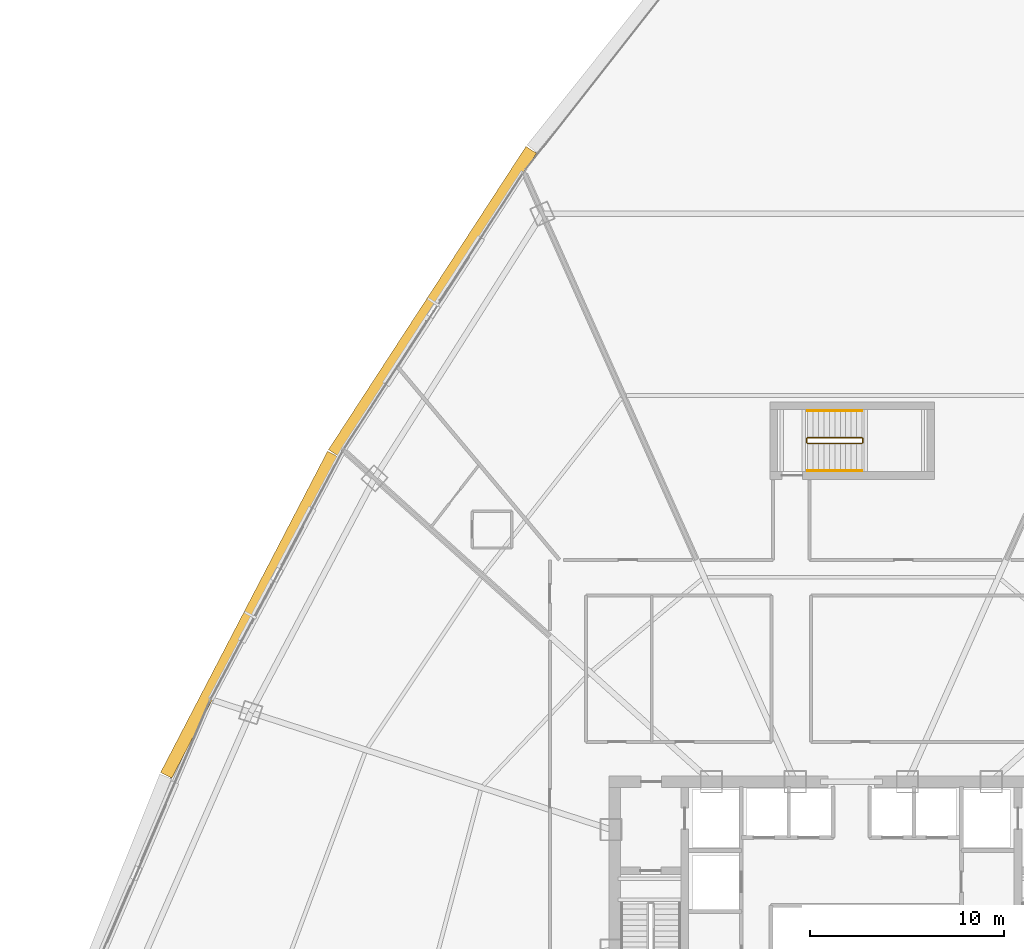
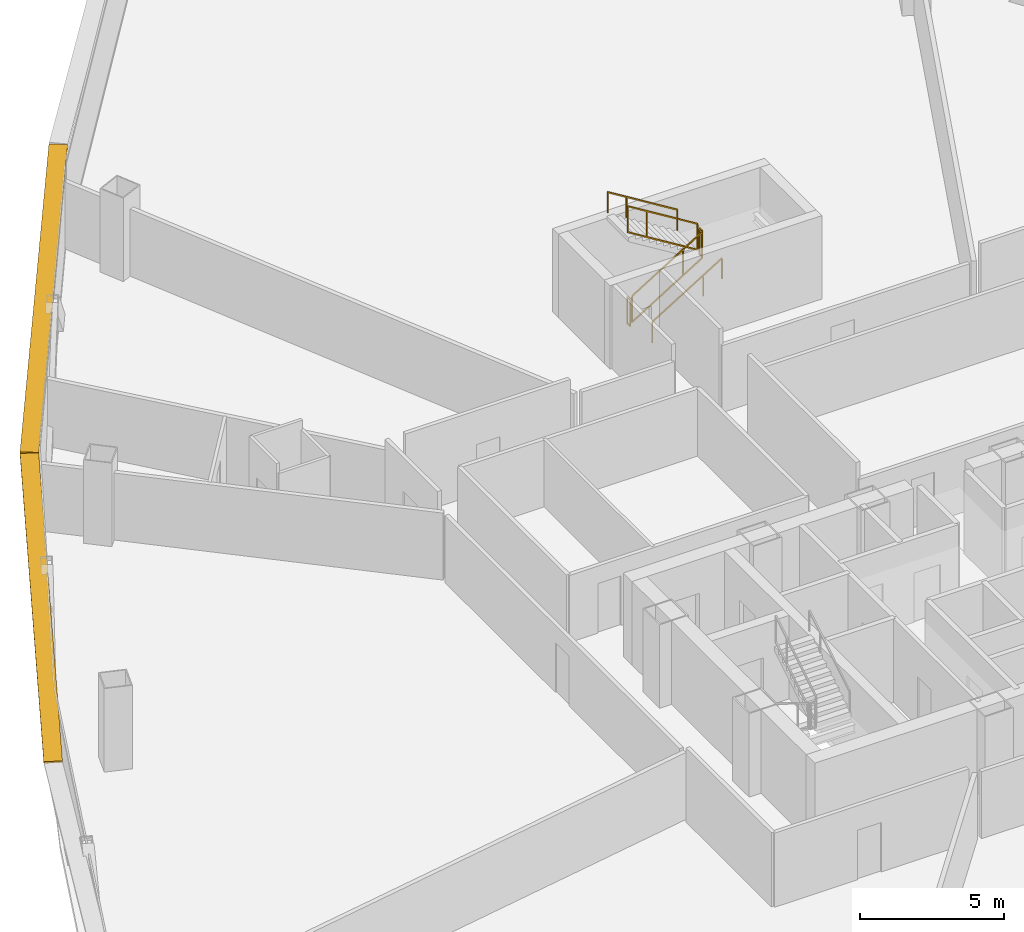
# One storey, part 36 of 37: 6 railings, 2 shading devices.
"""IFC4 building model written with IfcOpenShell, lengths in metres."""

import ifcopenshell
import ifcopenshell.guid

model = None  # the IFC model being written
_history = None  # IfcOwnerHistory: only IFC2X3 demands one
_inside = {}  # id of a spatial element -> (the spatial element, [elements in it])
_under = {}  # id of a project, library or spatial element -> (it, [spatial elements below it])
_declared = {}  # id of a project -> (the project, [libraries it declares])
_typed = {}  # id of a type object -> (the type object, [elements of that type])
_made_of = {}  # id of a material, layer set ... -> (it, [elements and type objects made of it])


def new_model(schema):
    """Start an empty IFC model of exactly this schema.

    Asked for "IFC4X3", IfcOpenShell would pick the latest addendum, in which some entities
    have other attributes; the version numbers below select the first issue.
    IFC2X3 requires an IfcOwnerHistory on every rooted entity: one is made here for all.
    """
    global model, _history
    if schema == "IFC4X3":
        model = ifcopenshell.file(schema_version=(4, 3, 0, 0))
    else:
        model = ifcopenshell.file(schema=schema)
    _inside.clear()
    _under.clear()
    _declared.clear()
    _typed.clear()
    _made_of.clear()
    _history = None
    if model.schema == "IFC2X3":
        org = make("IfcOrganization", Name="unknown")
        user = make(
            "IfcPersonAndOrganization",
            ThePerson=make("IfcPerson", FamilyName="unknown"),
            TheOrganization=org,
        )
        app = make(
            "IfcApplication",
            ApplicationDeveloper=org,
            Version="unknown",
            ApplicationFullName="unknown",
            ApplicationIdentifier="unknown",
        )
        _history = make(
            "IfcOwnerHistory",
            OwningUser=user,
            OwningApplication=app,
            ChangeAction="ADDED",
            CreationDate=0,
        )
    return model


def make(cls, **values):
    """One entity of the class cls with the attributes given. An attribute that is None is left unset."""
    return model.create_entity(
        cls, **{name: value for name, value in values.items() if value is not None}
    )


def rooted(cls, **values):
    """An entity with a GlobalId (a new one), such as an element, a storey or a relation."""
    return make(cls, GlobalId=ifcopenshell.guid.new(), OwnerHistory=_history, **values)


def si_unit(unit_type, name, prefix=None):
    """IfcSIUnit, for example si_unit("LENGTHUNIT", "METRE", prefix="MILLI")."""
    return make("IfcSIUnit", UnitType=unit_type, Prefix=prefix, Name=name)


def assignment(units):
    """IfcUnitAssignment: the units of a project."""
    return None if units is None else make("IfcUnitAssignment", Units=units)


def point(xyz):
    """IfcCartesianPoint."""
    return None if xyz is None else make("IfcCartesianPoint", Coordinates=xyz)


def direction(xyz):
    """IfcDirection."""
    return None if xyz is None else make("IfcDirection", DirectionRatios=xyz)


def frame(location, z_axis=None, x_axis=None):
    """IfcAxis2Placement3D, a coordinate frame: its origin and axes. An axis left out is left unset."""
    return make(
        "IfcAxis2Placement3D",
        Location=point(location),
        Axis=direction(z_axis),
        RefDirection=direction(x_axis),
    )


def frame_2d(location, x_axis=None):
    """IfcAxis2Placement2D, a coordinate frame in the plane: its origin and x axis."""
    return make(
        "IfcAxis2Placement2D", Location=point(location), RefDirection=direction(x_axis)
    )


def origin():
    """The frame at (0, 0, 0) with its axes left unset."""
    return frame((0.0, 0.0, 0.0))


def origin_2d():
    """The frame at (0, 0) in the plane with its x axis left unset."""
    return frame_2d((0.0, 0.0))


def place(relative_to, where):
    """IfcLocalPlacement: puts the frame where relative to a parent placement (None: the world)."""
    return make(
        "IfcLocalPlacement", PlacementRelTo=relative_to, RelativePlacement=where
    )


def context(
    kind, dimensions, precision=None, world=None, true_north=None, identifier=None
):
    """IfcGeometricRepresentationContext, for example the 3D "Model" context."""
    return make(
        "IfcGeometricRepresentationContext",
        ContextIdentifier=identifier,
        ContextType=kind,
        CoordinateSpaceDimension=dimensions,
        Precision=precision,
        WorldCoordinateSystem=world,
        TrueNorth=true_north,
    )


def subcontext(parent, identifier, kind, view, scale=None):
    """IfcGeometricRepresentationSubContext, for example "Body" below "Model"."""
    return make(
        "IfcGeometricRepresentationSubContext",
        ContextIdentifier=identifier,
        ContextType=kind,
        ParentContext=parent,
        TargetScale=scale,
        TargetView=view,
    )


def project(units=None, contexts=None):
    """IfcProject with its units and contexts."""
    return rooted(
        "IfcProject",
        Name="project",
        RepresentationContexts=contexts,
        UnitsInContext=assignment(units),
    )


def spatial(cls, under=None, at=None, **own):
    """A site, building, storey or space (cls), placed at a placement, below another one or the project."""
    s = rooted(cls, ObjectPlacement=at, **own)
    if under is not None:
        _under.setdefault(under.id(), (under, []))[1].append(s)
    return s


def profile(cls, at=None, kind="AREA", **sizes):
    """A parametric profile (cls). Its sizes go by their IFC names, for example OverallWidth=200.0."""
    return make(cls, ProfileType=kind, Position=at, **sizes)


def rectangle(**sizes):
    """IfcRectangleProfileDef."""
    return profile("IfcRectangleProfileDef", **sizes)


def extrude(swept, where, along, depth):
    """IfcExtrudedAreaSolid: the profile swept, set in the frame where, extruded along a direction by depth."""
    return make(
        "IfcExtrudedAreaSolid",
        SweptArea=swept,
        Position=where,
        ExtrudedDirection=direction(along),
        Depth=depth,
    )


def shape(context_of_items, identifier, shape_type, items):
    """IfcShapeRepresentation: the items that make up one representation, for example the "Body"."""
    return make(
        "IfcShapeRepresentation",
        ContextOfItems=context_of_items,
        RepresentationIdentifier=identifier,
        RepresentationType=shape_type,
        Items=items,
    )


def source(mapping_origin, context_of_items, identifier, shape_type, items):
    """IfcRepresentationMap: a shape defined once, which mapped items show again and again."""
    return make(
        "IfcRepresentationMap",
        MappingOrigin=mapping_origin,
        MappedRepresentation=shape(context_of_items, identifier, shape_type, items),
    )


def transform(
    local_origin,
    x_axis=None,
    y_axis=None,
    z_axis=None,
    scale=None,
    scale2=None,
    scale3=None,
    uniform=True,
):
    """IfcCartesianTransformationOperator3D, or its non-uniform kind. x_axis, y_axis, z_axis: its Axis1, 2, 3."""
    if uniform:
        return make(
            "IfcCartesianTransformationOperator3D",
            Axis1=direction(x_axis),
            Axis2=direction(y_axis),
            LocalOrigin=point(local_origin),
            Scale=scale,
            Axis3=direction(z_axis),
        )
    return make(
        "IfcCartesianTransformationOperator3DnonUniform",
        Axis1=direction(x_axis),
        Axis2=direction(y_axis),
        LocalOrigin=point(local_origin),
        Scale=scale,
        Axis3=direction(z_axis),
        Scale2=scale2,
        Scale3=scale3,
    )


def mapped(mapping_source, mapping_target):
    """IfcMappedItem: shows the shape of a source again, moved by a transform."""
    return make(
        "IfcMappedItem", MappingSource=mapping_source, MappingTarget=mapping_target
    )


def material(Name=None, Category=None):
    """IfcMaterial."""
    return make("IfcMaterial", Name=Name, Category=Category)


def layer(
    of_material, thickness, ventilated=None, Name=None, Category=None, Priority=None
):
    """IfcMaterialLayer: one layer of a wall or slab, of a material (None: an air gap)."""
    return make(
        "IfcMaterialLayer",
        Material=of_material,
        LayerThickness=thickness,
        IsVentilated=ventilated,
        Name=Name,
        Category=Category,
        Priority=Priority,
    )


def layer_set(layers, Name=None):
    """IfcMaterialLayerSet."""
    return make("IfcMaterialLayerSet", MaterialLayers=layers, LayerSetName=Name)


def made_of(thing, what):
    """Note that an element or type object is made of a material, layer set ...; save() writes the relation."""
    if what is not None:
        _made_of.setdefault(what.id(), (what, []))[1].append(thing)
    return thing


def type_object(cls, material=None, **own):
    """A type object (cls), such as IfcWallType, which elements share."""
    return made_of(rooted(cls, **own), material)


def element(
    cls,
    number,
    at=None,
    inside=None,
    cuts=None,
    type_object=None,
    material=None,
    context=None,
    identifier="Body",
    shape_type=None,
    held_by="IfcProductDefinitionShape",
    body=None,
    shapes=None,
    **own,
):
    """One element of the class cls, such as IfcWall. Its Tag is "e" and its number.

    at: its placement. inside: the storey or other place that contains it. cuts: it is an
    opening in that element (IfcRelVoidsElement). A single representation is given by context,
    identifier, shape_type and body (its items); several are given by shapes. held_by: the class
    of the entity that holds the representations. save() writes the other relations.
    """
    e = rooted(cls, Tag="e%d" % number, ObjectPlacement=at, **own)
    if body is not None:
        shapes = [shape(context, identifier, shape_type, body)]
    if shapes is not None:
        e.Representation = make(held_by, Representations=shapes)
    if inside is not None:
        _inside.setdefault(inside.id(), (inside, []))[1].append(e)
    if cuts is not None:
        rooted(
            "IfcRelVoidsElement", RelatingBuildingElement=cuts, RelatedOpeningElement=e
        )
    if type_object is not None:
        _typed.setdefault(type_object.id(), (type_object, []))[1].append(e)
    return made_of(e, material)


def aggregate(whole, parts):
    """IfcRelAggregates: a whole, such as a stair, and the parts it consists of."""
    return rooted("IfcRelAggregates", RelatingObject=whole, RelatedObjects=parts)


def save(model, path):
    """Write the relations noted so far, then the file.

    IfcRelAggregates (storeys below a building ...), IfcRelContainedInSpatialStructure (elements
    in a storey), IfcRelDefinesByType, IfcRelAssociatesMaterial and IfcRelDeclares: one each for
    every whole, place, type object, material and project.
    """
    for whole, parts in _under.values():
        aggregate(whole, parts)
    for where, things in _inside.values():
        rooted(
            "IfcRelContainedInSpatialStructure",
            RelatedElements=things,
            RelatingStructure=where,
        )
    for kind, things in _typed.values():
        rooted("IfcRelDefinesByType", RelatedObjects=things, RelatingType=kind)
    for what, things in _made_of.values():
        rooted("IfcRelAssociatesMaterial", RelatedObjects=things, RelatingMaterial=what)
    for by, libraries in _declared.values():
        rooted("IfcRelDeclares", RelatingContext=by, RelatedDefinitions=libraries)
    model.write(path)


model = new_model("IFC4")

# Units and contexts
model_context = context("Model", 3, precision=1e-05, world=origin(), true_north=direction((0.0, 1.0)))
body_context = subcontext(model_context, "Body", "Model", "MODEL_VIEW")
ifc_project = project(units=[si_unit("LENGTHUNIT", "METRE"), si_unit("AREAUNIT", "SQUARE_METRE"), si_unit("VOLUMEUNIT", "CUBIC_METRE"), si_unit("PLANEANGLEUNIT", "RADIAN"), si_unit("MASSUNIT", "GRAM", prefix="KILO"), si_unit("THERMODYNAMICTEMPERATUREUNIT", "KELVIN"), si_unit("POWERUNIT", "WATT")], contexts=[model_context])

# Site, building, storey
site_placement = place(None, origin())
site = spatial("IfcSite", under=ifc_project, at=site_placement, CompositionType="ELEMENT")
building_placement = place(site_placement, origin())
building = spatial("IfcBuilding", under=site, at=building_placement, Name="Yunzhuo Pagoda Commons", CompositionType="ELEMENT")
storey_placement = place(building_placement, frame((0.0, 0.0, 84.97998046875)))
storey = spatial("IfcBuildingStorey", under=building, at=storey_placement, Name="L21", CompositionType="ELEMENT", Elevation=84.97998046875)

# Railings
ifc_material = material(Name="Anodized aluminium 6063-T6", Category="aluminium")
railing_type_1 = type_object("IfcRailingType", Name="GR-ST3 North Well Guardrail 1155", PredefinedType="GUARDRAIL", material=ifc_material)
railing_1_placement = place(storey_placement, frame((45.75, 57.64990234375, 0.1728515625)))
element("IfcRailing", 1, at=railing_1_placement, inside=storey, type_object=railing_type_1, Name="L21 ST3 stair guard 1", PredefinedType="GUARDRAIL", context=body_context, shape_type="SweptSolid", body=[
    extrude(rectangle(XDim=0.048095703125, YDim=0.048095703125, at=origin_2d()), frame((0.0, 0.0, 1.1259765625), z_axis=(0.851122791225, 0.0, 0.524966660138), x_axis=(0.0, 1.0, 0.0)), (0.0, 0.0, 1.0), 3.289794921875),
    extrude(rectangle(XDim=0.048095703125, YDim=0.048095703125, at=origin_2d()), frame((0.0, 0.0, 0.02392578125), z_axis=(0.851122791225, 0.0, 0.524966660138), x_axis=(0.0, 1.0, 0.0)), (0.0, 0.0, 1.0), 3.289794921875),
    extrude(rectangle(XDim=0.0419921875, YDim=0.0419921875, at=origin_2d()), origin(), (0.0, 0.0, 1.0), 1.101806640625),
    extrude(rectangle(XDim=0.0419921875, YDim=0.0419921875, at=origin_2d()), frame((2.042724609375, 0.0, 1.260009765625)), (0.0, 0.0, 1.0), 1.101806640625),
    extrude(rectangle(XDim=0.0419921875, YDim=0.0419921875, at=origin_2d()), frame((2.800048828125, 0.0, 1.72705078125)), (0.0, 0.0, 1.0), 1.101806640625),
])
railing_2_placement = place(storey_placement, frame((48.60009765625, 57.699951171875, 1.89990234375)))
element("IfcRailing", 2, at=railing_2_placement, inside=storey, type_object=railing_type_1, Name="L21 ST3 stair guard 2", PredefinedType="GUARDRAIL", context=body_context, shape_type="SweptSolid", body=[
    extrude(rectangle(XDim=0.048095703125, YDim=0.048095703125, at=origin_2d()), frame((0.0, 0.0, 1.1259765625), z_axis=(0.0, 1.0, 0.0), x_axis=(-1.0, 0.0, 0.0)), (0.0, 0.0, 1.0), 0.199951171875),
    extrude(rectangle(XDim=0.048095703125, YDim=0.048095703125, at=origin_2d()), frame((0.0, 0.0, 0.02392578125), z_axis=(0.0, 1.0, 0.0), x_axis=(-1.0, 0.0, 0.0)), (0.0, 0.0, 1.0), 0.199951171875),
    extrude(rectangle(XDim=0.0419921875, YDim=0.0419921875, at=origin_2d()), origin(), (0.0, 0.0, 1.0), 1.101806640625),
    extrude(rectangle(XDim=0.0419921875, YDim=0.0419921875, at=origin_2d()), frame((0.0, 0.199951171875, 0.0)), (0.0, 0.0, 1.0), 1.101806640625),
])
railing_3_placement = place(storey_placement, frame((48.550048828125, 57.949951171875, 2.07275390625)))
element("IfcRailing", 3, at=railing_3_placement, inside=storey, type_object=railing_type_1, Name="L21 ST3 stair guard 3", PredefinedType="GUARDRAIL", context=body_context, shape_type="SweptSolid", body=[
    extrude(rectangle(XDim=0.048095703125, YDim=0.048095703125, at=origin_2d()), frame((0.0, 0.0, 1.1259765625), z_axis=(-0.851089632645, 0.0, 0.525020415988), x_axis=(0.0, -1.0, 0.0)), (0.0, 0.0, 1.0), 3.2900390625),
    extrude(rectangle(XDim=0.048095703125, YDim=0.048095703125, at=origin_2d()), frame((0.0, 0.0, 0.02392578125), z_axis=(-0.851089632645, 0.0, 0.525020415988), x_axis=(0.0, -1.0, 0.0)), (0.0, 0.0, 1.0), 3.2900390625),
    extrude(rectangle(XDim=0.0419921875, YDim=0.0419921875, at=origin_2d()), origin(), (0.0, 0.0, 1.0), 1.101806640625),
    extrude(rectangle(XDim=0.0419921875, YDim=0.0419921875, at=origin_2d()), frame((-2.042724609375, 0.0, 1.260009765625)), (0.0, 0.0, 1.0), 1.101806640625),
    extrude(rectangle(XDim=0.0419921875, YDim=0.0419921875, at=origin_2d()), frame((-2.800048828125, 0.0, 1.727294921875)), (0.0, 0.0, 1.0), 1.101806640625),
])
railing_4_placement = place(storey_placement, frame((45.699951171875, 57.699951171875, 0.0)))
element("IfcRailing", 4, at=railing_4_placement, inside=storey, type_object=railing_type_1, Name="L21 ST3 stair guard 4", PredefinedType="GUARDRAIL", context=body_context, shape_type="SweptSolid", body=[
    extrude(rectangle(XDim=0.048095703125, YDim=0.048095703125, at=origin_2d()), frame((0.0, 0.0, 1.1259765625), z_axis=(0.0, 1.0, 0.0), x_axis=(-1.0, 0.0, 0.0)), (0.0, 0.0, 1.0), 0.199951171875),
    extrude(rectangle(XDim=0.048095703125, YDim=0.048095703125, at=origin_2d()), frame((0.0, 0.0, 0.02392578125), z_axis=(0.0, 1.0, 0.0), x_axis=(-1.0, 0.0, 0.0)), (0.0, 0.0, 1.0), 0.199951171875),
    extrude(rectangle(XDim=0.0419921875, YDim=0.0419921875, at=origin_2d()), origin(), (0.0, 0.0, 1.0), 1.101806640625),
    extrude(rectangle(XDim=0.0419921875, YDim=0.0419921875, at=origin_2d()), frame((0.0, 0.199951171875, 0.0)), (0.0, 0.0, 1.0), 1.101806640625),
])
railing_type_2 = type_object("IfcRailingType", Name="HR-ST3 North Stair Handrail 900", PredefinedType="HANDRAIL", material=ifc_material)
railing_5_placement = place(storey_placement, frame((45.75, 56.25, 0.1728515625)))
element("IfcRailing", 5, at=railing_5_placement, inside=storey, type_object=railing_type_2, Name="L21 ST3 stair handrail 1", PredefinedType="HANDRAIL", context=body_context, shape_type="SweptSolid", body=[
    extrude(rectangle(XDim=0.048095703125, YDim=0.048095703125, at=origin_2d()), frame((0.0, 0.0, 0.8759765625), z_axis=(0.851122791225, 0.0, 0.524966660138), x_axis=(0.0, 1.0, 0.0)), (0.0, 0.0, 1.0), 3.289794921875),
    extrude(rectangle(XDim=0.0419921875, YDim=0.0419921875, at=origin_2d()), origin(), (0.0, 0.0, 1.0), 0.851806640625),
    extrude(rectangle(XDim=0.0419921875, YDim=0.0419921875, at=origin_2d()), frame((2.042724609375, 0.0, 1.260009765625)), (0.0, 0.0, 1.0), 0.851806640625),
    extrude(rectangle(XDim=0.0419921875, YDim=0.0419921875, at=origin_2d()), frame((2.800048828125, 0.0, 1.72705078125)), (0.0, 0.0, 1.0), 0.851806640625),
])
railing_6_placement = place(storey_placement, frame((48.550048828125, 59.35009765625, 2.07275390625)))
element("IfcRailing", 6, at=railing_6_placement, inside=storey, type_object=railing_type_2, Name="L21 ST3 stair handrail 2", PredefinedType="HANDRAIL", context=body_context, shape_type="SweptSolid", body=[
    extrude(rectangle(XDim=0.048095703125, YDim=0.048095703125, at=origin_2d()), frame((0.0, 0.0, 0.8759765625), z_axis=(-0.851089632645, 0.0, 0.525020415988), x_axis=(0.0, -1.0, 0.0)), (0.0, 0.0, 1.0), 3.2900390625),
    extrude(rectangle(XDim=0.0419921875, YDim=0.0419921875, at=origin_2d()), origin(), (0.0, 0.0, 1.0), 0.851806640625),
    extrude(rectangle(XDim=0.0419921875, YDim=0.0419921875, at=origin_2d()), frame((-2.042724609375, 0.0, 1.260009765625)), (0.0, 0.0, 1.0), 0.851806640625),
    extrude(rectangle(XDim=0.0419921875, YDim=0.0419921875, at=origin_2d()), frame((-2.800048828125, 0.0, 1.727294921875)), (0.0, 0.0, 1.0), 0.851806640625),
])

# Shading devices
ifc_layer = layer(ifc_material, 0.080078125)
ifc_layer_set = layer_set([ifc_layer], Name="Anodized aluminium 6063-T6")
shading_device_type = type_object("IfcShadingDeviceType", Name="SH-SUN1 Pagoda Horizontal Sunshade Eave 650", PredefinedType="USERDEFINED", material=ifc_layer_set)
shared_shape = source(origin(), body_context, "Body", "SweptSolid", [
    extrude(rectangle(XDim=18.6767578125, YDim=0.64990234375, at=origin_2d()), origin(), (0.0, 0.0, 1.0), 0.080078125),
])
for number, where, z_axis, x_axis, name in (
    (7, (26.387451171875, 64.982177734375, 3.4599609375), (0.0, 0.0, 1.0), (-0.545838756973, -0.837890238269, 0.0), "L21 horizontal pagoda sunshade eave F3.2"),
    (8, (16.951171875, 48.81689453125, 3.4599609375), (0.0, 0.0, 1.0), (-0.461206683033, -0.88729273384, 0.0), "L21 horizontal pagoda sunshade eave F3.3"),
):
    element("IfcShadingDevice", number, at=place(storey_placement, frame(where, z_axis=z_axis, x_axis=x_axis)), inside=storey, type_object=shading_device_type, Name=name, ObjectType="SUNSHADE", PredefinedType="USERDEFINED", context=body_context, shape_type="MappedRepresentation", body=[
        mapped(shared_shape, transform((0.0, 0.0, 0.0), scale=1.0)),
    ])

save(model, "model.ifc")
